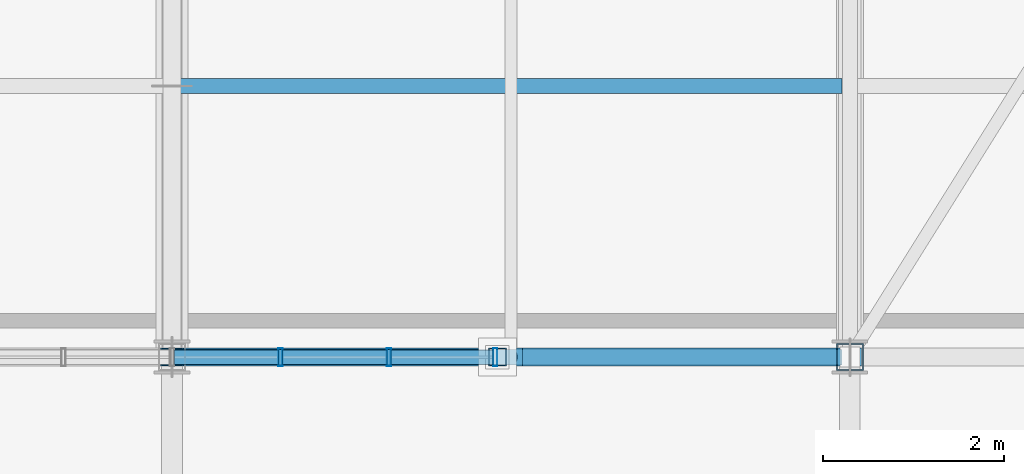
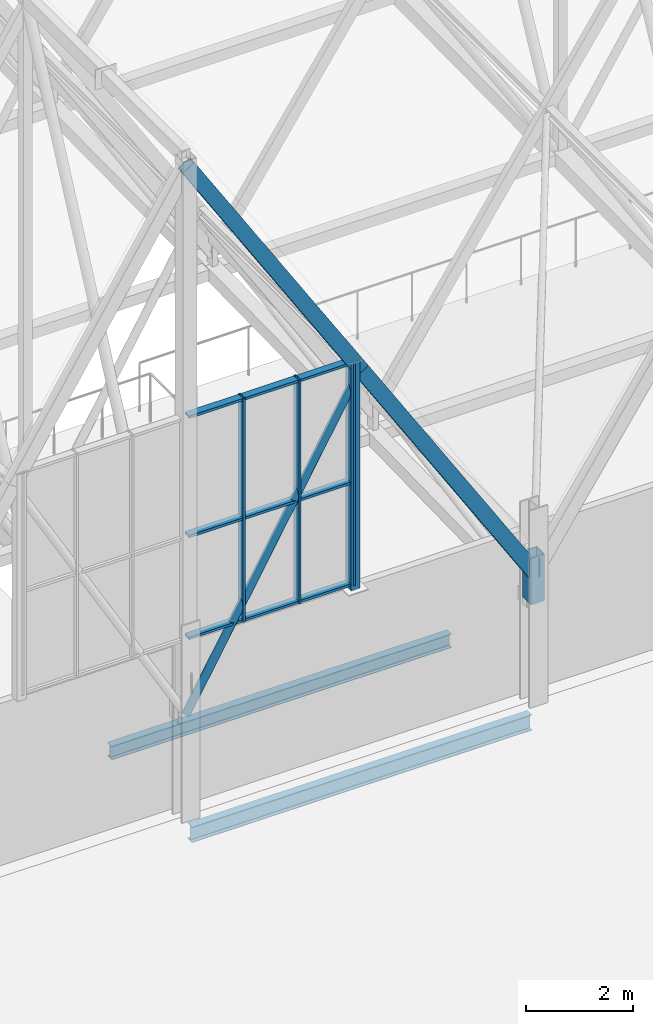
# One storey, part 211 of 324: 17 members, 2 beams, 1 element without a shape of its own.
"""IFC4 building model written with IfcOpenShell, lengths in metres."""

from ifc_helpers import new_model, si_unit, direction, frame, origin, origin_2d, place, context, subcontext, project, spatial, hollow_rectangle, hollow_circle, i_section, extrude, material, layer, layer_set, material_profile, profile_set, type_object, element, aggregate, save


model = new_model("IFC4")

# Units and contexts
model_context = context("Model", 3, precision=1e-05, world=origin(), true_north=direction((0.0, 1.0)))
body_context = subcontext(model_context, "Body", "Model", "MODEL_VIEW")
ifc_project = project(units=[si_unit("LENGTHUNIT", "METRE"), si_unit("AREAUNIT", "SQUARE_METRE"), si_unit("VOLUMEUNIT", "CUBIC_METRE"), si_unit("PLANEANGLEUNIT", "RADIAN"), si_unit("MASSUNIT", "GRAM", prefix="KILO")], contexts=[model_context])

# Site, building, storey
site_placement = place(None, origin())
site = spatial("IfcSite", under=ifc_project, at=site_placement, CompositionType="ELEMENT")
building_placement = place(site_placement, origin())
building = spatial("IfcBuilding", under=site, at=building_placement, Name="Solvenia Promenade Tram Depot", CompositionType="ELEMENT")
storey_placement = place(building_placement, frame((0.0, 0.0, 4.5)))
storey = spatial("IfcBuildingStorey", under=building, at=storey_placement, Name="L01", CompositionType="ELEMENT", Elevation=4.5)

# Curtain wall, members
ifc_material_1 = material(Name="Anodized aluminium AW-6063 T6", Category="aluminium")
ifc_layer = layer(ifc_material_1, 0.14990234375, Name="Anodized aluminium AW-6063 T6", Category="aluminium")
ifc_layer_set = layer_set([ifc_layer], Name="Anodized aluminium AW-6063 T6")
curtain_wall_type = type_object("IfcCurtainWallType", Name="CW-Gable-1200", PredefinedType="NOTDEFINED", material=ifc_layer_set)
curtain_wall_placement = place(storey_placement, origin())
curtain_wall = element("IfcCurtainWall", 1, at=curtain_wall_placement, inside=storey, type_object=curtain_wall_type, Name="South Zigzag Gable 09 Peak Glazing", PredefinedType="NOTDEFINED")
ifc_material_profile_1 = material_profile(ifc_material_1, hollow_rectangle(XDim=0.199951171875, YDim=0.048095703125, WallThickness=0.00390625, at=origin_2d()), Name="ALU-M3", Category="aluminium")
ifc_profile_set_1 = profile_set([ifc_material_profile_1], Name="Anodized aluminium AW-6063 T6")
member_type_1 = type_object("IfcMemberType", Name="CWM-Mullion-3", PredefinedType="MULLION", material=ifc_profile_set_1)
member_1_placement = place(storey_placement, frame((128.699951171875, 66.0, 4.050048828125), z_axis=(0.0, 0.0, 1.0), x_axis=(0.0, 1.0, 0.0)))
member_1 = element("IfcMember", 2, at=member_1_placement, type_object=member_type_1, Name="CW-3 mullion 5", PredefinedType="MULLION", context=body_context, shape_type="SweptSolid", body=[
    extrude(hollow_rectangle(XDim=0.199951171875, YDim=0.048095703125, WallThickness=0.00390625, at=origin_2d()), origin(), (0.0, 0.0, 1.0), 5.099853515625),
])
member_2_placement = place(storey_placement, frame((129.89990234375, 66.0, 4.050048828125), z_axis=(0.0, 0.0, 1.0), x_axis=(0.0, 1.0, 0.0)))
member_2 = element("IfcMember", 3, at=member_2_placement, type_object=member_type_1, Name="CW-3 mullion 6", PredefinedType="MULLION", context=body_context, shape_type="SweptSolid", body=[
    extrude(hollow_rectangle(XDim=0.199951171875, YDim=0.048095703125, WallThickness=0.00390625, at=origin_2d()), origin(), (0.0, 0.0, 1.0), 5.099853515625),
])
member_3_placement = place(storey_placement, frame((131.075927734375, 66.0, 4.050048828125), z_axis=(0.0, 0.0, 1.0), x_axis=(0.0, 1.0, 0.0)))
member_3 = element("IfcMember", 4, at=member_3_placement, type_object=member_type_1, Name="CW-3 mullion 7", PredefinedType="MULLION", context=body_context, shape_type="SweptSolid", body=[
    extrude(hollow_rectangle(XDim=0.199951171875, YDim=0.048095703125, WallThickness=0.00390625, at=origin_2d()), origin(), (0.0, 0.0, 1.0), 5.099853515625),
])
ifc_material_profile_2 = material_profile(ifc_material_1, hollow_rectangle(XDim=0.159912109375, YDim=0.05810546875, WallThickness=0.00390625, at=origin_2d()), Name="ALU-T3", Category="aluminium")
ifc_profile_set_2 = profile_set([ifc_material_profile_2], Name="Anodized aluminium AW-6063 T6")
member_type_2 = type_object("IfcMemberType", Name="CWT-Transom-3", PredefinedType="USERDEFINED", material=ifc_profile_set_2)
member_4_placement = place(storey_placement, frame((127.52392578125, 66.0, 4.0791015625), z_axis=(1.0, 0.0, 0.0), x_axis=(0.0, 1.0, 0.0)))
member_4 = element("IfcMember", 5, at=member_4_placement, type_object=member_type_2, Name="CW-3 transom 4.1", ObjectType="TRANSOM", PredefinedType="USERDEFINED", context=body_context, shape_type="SweptSolid", body=[
    extrude(hollow_rectangle(XDim=0.159912109375, YDim=0.05810546875, WallThickness=0.00390625, at=origin_2d()), origin(), (0.0, 0.0, 1.0), 1.152099609375),
])
member_5_placement = place(storey_placement, frame((127.52392578125, 66.0, 6.39990234375), z_axis=(1.0, 0.0, 0.0), x_axis=(0.0, 1.0, 0.0)))
member_5 = element("IfcMember", 6, at=member_5_placement, type_object=member_type_2, Name="CW-3 transom 4.2", ObjectType="TRANSOM", PredefinedType="USERDEFINED", context=body_context, shape_type="SweptSolid", body=[
    extrude(hollow_rectangle(XDim=0.159912109375, YDim=0.05810546875, WallThickness=0.00390625, at=origin_2d()), origin(), (0.0, 0.0, 1.0), 1.152099609375),
])
member_6_placement = place(storey_placement, frame((127.52392578125, 66.0, 9.12109375), z_axis=(1.0, 0.0, 0.0), x_axis=(0.0, 1.0, 0.0)))
member_6 = element("IfcMember", 7, at=member_6_placement, type_object=member_type_2, Name="CW-3 transom 4.3", ObjectType="TRANSOM", PredefinedType="USERDEFINED", context=body_context, shape_type="SweptSolid", body=[
    extrude(hollow_rectangle(XDim=0.159912109375, YDim=0.05810546875, WallThickness=0.00390625, at=origin_2d()), origin(), (0.0, 0.0, 1.0), 1.152099609375),
])
member_7_placement = place(storey_placement, frame((128.72412109375, 66.0, 4.0791015625), z_axis=(1.0, 0.0, 0.0), x_axis=(0.0, 1.0, 0.0)))
member_7 = element("IfcMember", 8, at=member_7_placement, type_object=member_type_2, Name="CW-3 transom 5.1", ObjectType="TRANSOM", PredefinedType="USERDEFINED", context=body_context, shape_type="SweptSolid", body=[
    extrude(hollow_rectangle(XDim=0.159912109375, YDim=0.05810546875, WallThickness=0.00390625, at=origin_2d()), origin(), (0.0, 0.0, 1.0), 1.15185546875),
])
member_8_placement = place(storey_placement, frame((128.72412109375, 66.0, 6.39990234375), z_axis=(1.0, 0.0, 0.0), x_axis=(0.0, 1.0, 0.0)))
member_8 = element("IfcMember", 9, at=member_8_placement, type_object=member_type_2, Name="CW-3 transom 5.2", ObjectType="TRANSOM", PredefinedType="USERDEFINED", context=body_context, shape_type="SweptSolid", body=[
    extrude(hollow_rectangle(XDim=0.159912109375, YDim=0.05810546875, WallThickness=0.00390625, at=origin_2d()), origin(), (0.0, 0.0, 1.0), 1.15185546875),
])
member_9_placement = place(storey_placement, frame((128.72412109375, 66.0, 9.12109375), z_axis=(1.0, 0.0, 0.0), x_axis=(0.0, 1.0, 0.0)))
member_9 = element("IfcMember", 10, at=member_9_placement, type_object=member_type_2, Name="CW-3 transom 5.3", ObjectType="TRANSOM", PredefinedType="USERDEFINED", context=body_context, shape_type="SweptSolid", body=[
    extrude(hollow_rectangle(XDim=0.159912109375, YDim=0.05810546875, WallThickness=0.00390625, at=origin_2d()), origin(), (0.0, 0.0, 1.0), 1.15185546875),
])
member_10_placement = place(storey_placement, frame((129.924072265625, 66.0, 4.0791015625), z_axis=(1.0, 0.0, 0.0), x_axis=(0.0, 1.0, 0.0)))
member_10 = element("IfcMember", 11, at=member_10_placement, type_object=member_type_2, Name="CW-3 transom 6.1", ObjectType="TRANSOM", PredefinedType="USERDEFINED", context=body_context, shape_type="SweptSolid", body=[
    extrude(hollow_rectangle(XDim=0.159912109375, YDim=0.05810546875, WallThickness=0.00390625, at=origin_2d()), origin(), (0.0, 0.0, 1.0), 1.1279296875),
])
member_11_placement = place(storey_placement, frame((129.924072265625, 66.0, 6.39990234375), z_axis=(1.0, 0.0, 0.0), x_axis=(0.0, 1.0, 0.0)))
member_11 = element("IfcMember", 12, at=member_11_placement, type_object=member_type_2, Name="CW-3 transom 6.2", ObjectType="TRANSOM", PredefinedType="USERDEFINED", context=body_context, shape_type="SweptSolid", body=[
    extrude(hollow_rectangle(XDim=0.159912109375, YDim=0.05810546875, WallThickness=0.00390625, at=origin_2d()), origin(), (0.0, 0.0, 1.0), 1.1279296875),
])
member_12_placement = place(storey_placement, frame((129.924072265625, 66.0, 9.12109375), z_axis=(1.0, 0.0, 0.0), x_axis=(0.0, 1.0, 0.0)))
member_12 = element("IfcMember", 13, at=member_12_placement, type_object=member_type_2, Name="CW-3 transom 6.3", ObjectType="TRANSOM", PredefinedType="USERDEFINED", context=body_context, shape_type="SweptSolid", body=[
    extrude(hollow_rectangle(XDim=0.159912109375, YDim=0.05810546875, WallThickness=0.00390625, at=origin_2d()), origin(), (0.0, 0.0, 1.0), 1.1279296875),
])
aggregate(curtain_wall, [member_1, member_2, member_3, member_4, member_5, member_6, member_7, member_8, member_9, member_10, member_11, member_12])

# Members
ifc_material_2 = material(Name="Structural steel ASTM A500 Gr. C", Category="steel")
ifc_material_profile_3 = material_profile(ifc_material_2, hollow_rectangle(XDim=0.199951171875, YDim=0.300048828125, WallThickness=0.012451171875, at=origin_2d()), Name="HSS300x200x12.5", Category="steel")
ifc_profile_set_3 = profile_set([ifc_material_profile_3], Name="Structural steel ASTM A500 Gr. C")
member_type_3 = type_object("IfcMemberType", Name="Chord-HSS300x200x12", PredefinedType="CHORD", material=ifc_profile_set_3)
member_13_placement = place(storey_placement, frame((127.5, 66.0, 14.83251953125), z_axis=(0.533522444929, 0.0, -0.845785907164), x_axis=(0.0, 1.0, 0.0)))
element("IfcMember", 14, at=member_13_placement, inside=storey, type_object=member_type_3, Name="Zigzag Gable 09 East Upper Rafter", PredefinedType="CHORD", context=body_context, shape_type="SweptSolid", body=[
    extrude(hollow_rectangle(XDim=0.199951171875, YDim=0.300048828125, WallThickness=0.012451171875, at=origin_2d()), origin(), (0.0, 0.0, 1.0), 7.02880859375),
])
member_14_placement = place(storey_placement, frame((131.25, 66.0, 8.8876953125), z_axis=(0.533506771487, 0.0, -0.845795793781), x_axis=(0.0, 1.0, 0.0)))
element("IfcMember", 15, at=member_14_placement, inside=storey, type_object=member_type_3, Name="Zigzag Gable 09 East Lower Rafter", PredefinedType="CHORD", context=body_context, shape_type="SweptSolid", body=[
    extrude(hollow_rectangle(XDim=0.199951171875, YDim=0.300048828125, WallThickness=0.012451171875, at=origin_2d()), origin(), (0.0, 0.0, 1.0), 7.029052734375),
])
ifc_material_profile_4 = material_profile(ifc_material_2, hollow_rectangle(XDim=0.300048828125, YDim=0.300048828125, WallThickness=0.012451171875, at=origin_2d()), Name="HSS300x300x12.5", Category="steel")
ifc_profile_set_4 = profile_set([ifc_material_profile_4], Name="Structural steel ASTM A500 Gr. C")
member_type_4 = type_object("IfcMemberType", Name="Chord-HSS300x300x12", PredefinedType="CHORD", material=ifc_profile_set_4)
member_15_placement = place(storey_placement, frame((135.0, 66.0, 2.320068359375), z_axis=(0.0, 0.0, 1.0), x_axis=(1.0, 0.0, 0.0)))
element("IfcMember", 16, at=member_15_placement, inside=storey, type_object=member_type_4, Name="Arched Truss T19 S End Post", PredefinedType="CHORD", context=body_context, shape_type="SweptSolid", body=[
    extrude(hollow_rectangle(XDim=0.300048828125, YDim=0.300048828125, WallThickness=0.012451171875, at=origin_2d()), origin(), (0.0, 0.0, 1.0), 1.059814453125),
])

# Beam
ifc_material_3 = material(Name="Structural steel ASTM A992 Gr. 50", Category="steel")
ifc_material_profile_5 = material_profile(ifc_material_3, i_section(OverallWidth=0.166015625, OverallDepth=0.31298828125, WebThickness=0.006591796875, FlangeThickness=0.01123046875, FilletRadius=0.010009765625, at=origin_2d()), Name="W310x45", Category="steel")
ifc_profile_set_5 = profile_set([ifc_material_profile_5], Name="Structural steel ASTM A992 Gr. 50")
beam_type_1 = type_object("IfcBeamType", Name="Joist-W310x45", PredefinedType="JOIST", material=ifc_profile_set_5)
beam_1_placement = place(storey_placement, frame((127.5849609375, 69.0, -0.37646484375), z_axis=(1.0, 0.0, 0.0), x_axis=(0.0, 1.0, 0.0)))
element("IfcBeam", 17, at=beam_1_placement, inside=storey, type_object=beam_type_1, Name="Secondary Floor Joist BM-L01-0112", PredefinedType="JOIST", context=body_context, shape_type="SweptSolid", body=[
    extrude(i_section(OverallWidth=0.166015625, OverallDepth=0.31298828125, WebThickness=0.006591796875, FlangeThickness=0.01123046875, FilletRadius=0.010009765625, at=origin_2d()), origin(), (0.0, 0.0, 1.0), 7.330078125),
])

# Member
ifc_material_profile_6 = material_profile(ifc_material_2, hollow_rectangle(XDim=0.199951171875, YDim=0.199951171875, WallThickness=0.010009765625, at=origin_2d()), Name="HSS200x200x10", Category="steel")
ifc_profile_set_6 = profile_set([ifc_material_profile_6], Name="Structural steel ASTM A500 Gr. C")
member_type_5 = type_object("IfcMemberType", Name="Post-HSS200x200x10", PredefinedType="POST", material=ifc_profile_set_6)
member_16_placement = place(storey_placement, frame((131.10009765625, 66.0, 3.949951171875), z_axis=(0.0, 0.0, 1.0), x_axis=(1.0, 0.0, 0.0)))
element("IfcMember", 18, at=member_16_placement, inside=storey, type_object=member_type_5, Name="Gable Curtain-Wall Steel Jamb Post 036", PredefinedType="POST", context=body_context, shape_type="SweptSolid", body=[
    extrude(hollow_rectangle(XDim=0.199951171875, YDim=0.199951171875, WallThickness=0.010009765625, at=origin_2d()), origin(), (0.0, 0.0, 1.0), 5.199951171875),
])

# Beam
ifc_material_profile_7 = material_profile(ifc_material_3, i_section(OverallWidth=0.172119140625, OverallDepth=0.35791015625, WebThickness=0.0078125, FlangeThickness=0.01318359375, FilletRadius=0.010986328125, at=origin_2d()), Name="W360x57", Category="steel")
ifc_profile_set_7 = profile_set([ifc_material_profile_7], Name="Structural steel ASTM A992 Gr. 50")
beam_type_2 = type_object("IfcBeamType", Name="Spandrel-W360x57", PredefinedType="SPANDREL", material=ifc_profile_set_7)
beam_2_placement = place(storey_placement, frame((127.5849609375, 66.0, -0.4189453125), z_axis=(1.0, 0.0, 0.0), x_axis=(0.0, 1.0, 0.0)))
element("IfcBeam", 19, at=beam_2_placement, inside=storey, type_object=beam_type_2, Name="Perimeter Spandrel BM-L01-0018", PredefinedType="SPANDREL", context=body_context, shape_type="SweptSolid", body=[
    extrude(i_section(OverallWidth=0.172119140625, OverallDepth=0.35791015625, WebThickness=0.0078125, FlangeThickness=0.01318359375, FilletRadius=0.010986328125, at=origin_2d()), origin(), (0.0, 0.0, 1.0), 7.330078125),
])

# Member
ifc_material_profile_8 = material_profile(ifc_material_2, hollow_circle(Radius=0.084228515625, WallThickness=0.008056640625, at=origin_2d()), Name="CHS168.3x8", Category="steel")
ifc_profile_set_8 = profile_set([ifc_material_profile_8], Name="Structural steel ASTM A500 Gr. C")
member_type_6 = type_object("IfcMemberType", Name="WebDiag-CHS168x8", PredefinedType="BRACE", material=ifc_profile_set_8)
member_17_placement = place(storey_placement, frame((127.5, 66.0, 2.320068359375), z_axis=(0.495846885085, 0.0, 0.868409964562), x_axis=(0.0, 1.0, 0.0)))
element("IfcMember", 20, at=member_17_placement, inside=storey, type_object=member_type_6, Name="Zigzag Gable 09 East Knee Strut", PredefinedType="BRACE", context=body_context, shape_type="SweptSolid", body=[
    extrude(hollow_circle(Radius=0.084228515625, WallThickness=0.008056640625, at=origin_2d()), origin(), (0.0, 0.0, 1.0), 7.562744140625),
])

save(model, "model.ifc")
